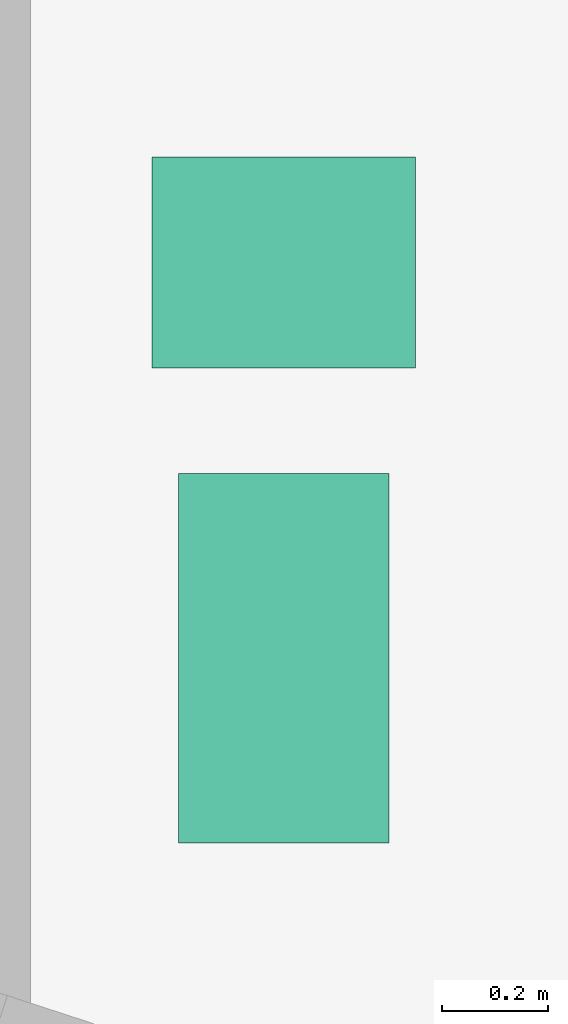
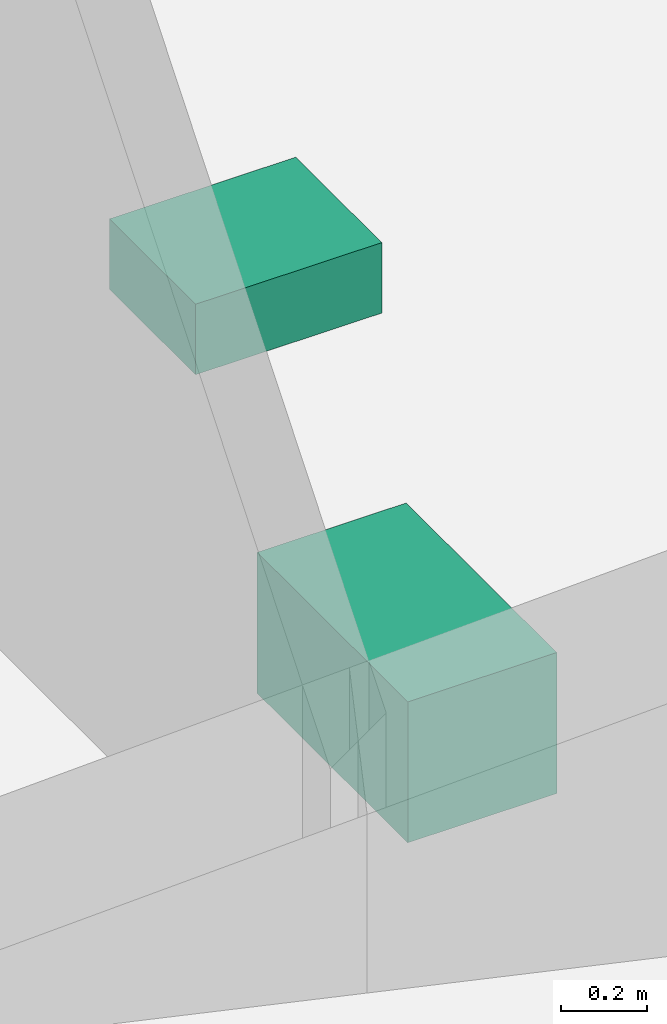
# One storey, part 15 of 15: 2 sanitary terminals.
"""IFC4 building model written with IfcOpenShell, lengths in metres."""

from ifc_helpers import new_model, si_unit, direction, frame, origin, origin_2d, place, context, subcontext, project, spatial, rectangle, extrude, material, type_object, element, save


model = new_model("IFC4")

# Units and contexts
model_context = context("Model", 3, precision=1e-05, world=origin(), true_north=direction((0.0, 1.0)))
body_context = subcontext(model_context, "Body", "Model", "MODEL_VIEW")
ifc_project = project(units=[si_unit("LENGTHUNIT", "METRE"), si_unit("AREAUNIT", "SQUARE_METRE"), si_unit("VOLUMEUNIT", "CUBIC_METRE"), si_unit("PLANEANGLEUNIT", "RADIAN"), si_unit("MASSUNIT", "GRAM", prefix="KILO")], contexts=[model_context])

# Site, building, storey
site_placement = place(None, origin())
site = spatial("IfcSite", under=ifc_project, at=site_placement, CompositionType="ELEMENT")
building_placement = place(site_placement, origin())
building = spatial("IfcBuilding", under=site, at=building_placement, Name="Ostrand Prow Hotel Tower", CompositionType="ELEMENT")
storey_placement = place(building_placement, frame((0.0, 0.0, 308.60009765625)))
storey = spatial("IfcBuildingStorey", under=building, at=storey_placement, Name="C1", CompositionType="ELEMENT", Elevation=308.60009765625)

# Sanitary terminals
ifc_material_1 = material(Name="Vitreous china")
sanitary_terminal_type_1 = type_object("IfcSanitaryTerminalType", Name="WC pan 360x700", PredefinedType="TOILETPAN", material=ifc_material_1)
sanitary_terminal_1_placement = place(storey_placement, frame((38.506591796875, -5.285400390625, 0.0), z_axis=(0.0, 0.0, 1.0), x_axis=(1.0, 0.0, 0.0)))
element("IfcSanitaryTerminal", 1, at=sanitary_terminal_1_placement, inside=storey, type_object=sanitary_terminal_type_1, Name="PAN", PredefinedType="TOILETPAN", context=body_context, shape_type="SweptSolid", body=[
    extrude(rectangle(XDim=0.39990234375, YDim=0.699951171875, at=origin_2d()), origin(), (0.0, 0.0, 1.0), 0.39990234375),
])
ifc_material_2 = material(Name="Vitreous china")
sanitary_terminal_type_2 = type_object("IfcSanitaryTerminalType", Name="Wash hand basin 500x400", PredefinedType="WASHHANDBASIN", material=ifc_material_2)
sanitary_terminal_2_placement = place(storey_placement, frame((38.506591796875, -4.535400390625, 0.7998046875), z_axis=(0.0, 0.0, 1.0), x_axis=(1.0, 0.0, 0.0)))
element("IfcSanitaryTerminal", 2, at=sanitary_terminal_2_placement, inside=storey, type_object=sanitary_terminal_type_2, Name="WASH HAND BASIN", PredefinedType="WASHHANDBASIN", context=body_context, shape_type="SweptSolid", body=[
    extrude(rectangle(XDim=0.5, YDim=0.39990234375, at=origin_2d()), origin(), (0.0, 0.0, 1.0), 0.199951171875),
])

save(model, "model.ifc")
